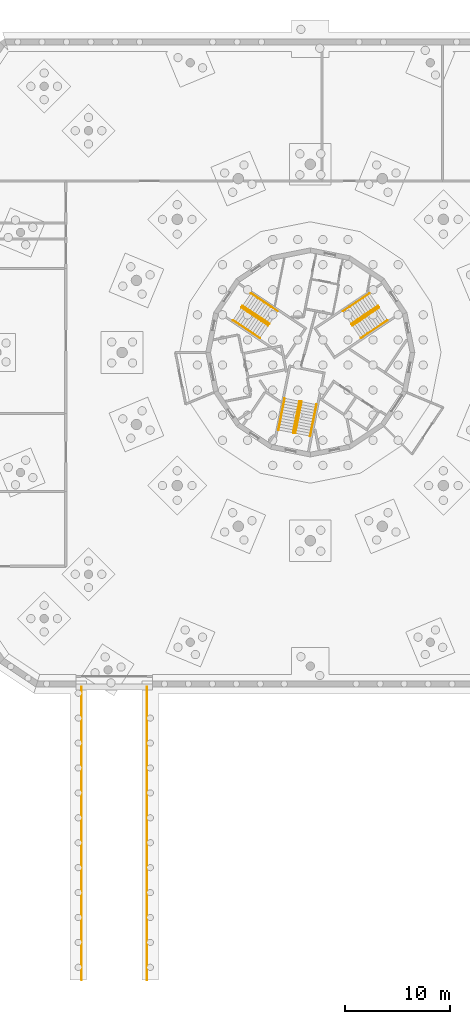
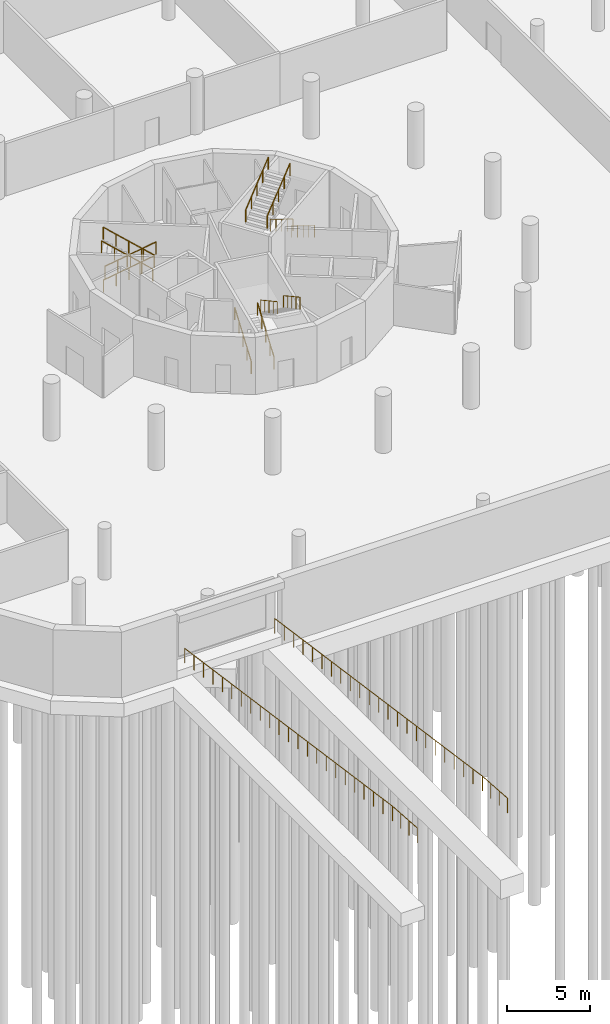
# One storey, part 8 of 8: 14 railings.
"""IFC4 building model written with IfcOpenShell, lengths in metres."""

from ifc_helpers import new_model, si_unit, direction, frame, origin, origin_2d, place, context, subcontext, project, spatial, circle, extrude, material, type_object, element, save


model = new_model("IFC4")

# Units and contexts
model_context = context("Model", 3, precision=1e-05, world=origin(), true_north=direction((0.0, 1.0)))
body_context = subcontext(model_context, "Body", "Model", "MODEL_VIEW")
ifc_project = project(units=[si_unit("LENGTHUNIT", "METRE"), si_unit("AREAUNIT", "SQUARE_METRE"), si_unit("VOLUMEUNIT", "CUBIC_METRE"), si_unit("PLANEANGLEUNIT", "RADIAN"), si_unit("MASSUNIT", "GRAM", prefix="KILO")], contexts=[model_context])

# Site, building, storey
site_placement = place(None, origin())
site = spatial("IfcSite", under=ifc_project, at=site_placement, CompositionType="ELEMENT")
building_placement = place(site_placement, origin())
building = spatial("IfcBuilding", under=site, at=building_placement, Name="Ceibo Conservatory and Research Tower", CompositionType="ELEMENT")
storey_placement = place(building_placement, frame((0.0, 0.0, -4.199951171875)))
storey = spatial("IfcBuildingStorey", under=building, at=storey_placement, Name="B1", CompositionType="ELEMENT", Elevation=-4.199951171875)

# Railings
ifc_material = material(Name="Stainless steel AISI 316", Category="steel")
railing_type_1 = type_object("IfcRailingType", Name="Guard 1100", PredefinedType="GUARDRAIL", material=ifc_material)
railing_1_placement = place(storey_placement, frame((26.1201171875, 60.0, 4.199951171875)))
element("IfcRailing", 1, at=railing_1_placement, inside=storey, type_object=railing_type_1, Name="Ramp guard W", PredefinedType="GUARDRAIL", context=body_context, shape_type="SweptSolid", body=[
    extrude(circle(Radius=0.02392578125, at=origin_2d()), frame((0.0, 0.0, 1.076171875), z_axis=(0.0, 0.997457051376, -0.071270124602), x_axis=(-1.0, 0.0, 0.0)), (0.0, 0.0, 1.0), 3.007568359375),
    extrude(circle(Radius=0.02392578125, at=origin_2d()), frame((0.0, 3.0, 0.86181640625), z_axis=(0.0, 0.989950267045, -0.141415942445), x_axis=(-1.0, 0.0, 0.0)), (0.0, 0.0, 1.0), 25.25390625),
    extrude(circle(Radius=0.02099609375, at=origin_2d()), origin(), (0.0, 0.0, 1.0), 1.052001953125),
    extrude(circle(Radius=0.02099609375, at=origin_2d()), frame((0.0, 1.0, -0.071533203125)), (0.0, 0.0, 1.0), 1.052001953125),
    extrude(circle(Radius=0.02099609375, at=origin_2d()), frame((0.0, 2.0, -0.142822265625)), (0.0, 0.0, 1.0), 1.052001953125),
    extrude(circle(Radius=0.02099609375, at=origin_2d()), frame((0.0, 3.0, -0.21435546875)), (0.0, 0.0, 1.0), 1.052001953125),
    extrude(circle(Radius=0.02099609375, at=origin_2d()), frame((0.0, 4.136474609375, -0.376708984375)), (0.0, 0.0, 1.0), 1.052001953125),
    extrude(circle(Radius=0.02099609375, at=origin_2d()), frame((0.0, 5.272705078125, -0.5390625)), (0.0, 0.0, 1.0), 1.052001953125),
    extrude(circle(Radius=0.02099609375, at=origin_2d()), frame((0.0, 6.4091796875, -0.701416015625)), (0.0, 0.0, 1.0), 1.052001953125),
    extrude(circle(Radius=0.02099609375, at=origin_2d()), frame((0.0, 7.54541015625, -0.86376953125)), (0.0, 0.0, 1.0), 1.052001953125),
    extrude(circle(Radius=0.02099609375, at=origin_2d()), frame((0.0, 8.681884765625, -1.026123046875)), (0.0, 0.0, 1.0), 1.052001953125),
    extrude(circle(Radius=0.02099609375, at=origin_2d()), frame((0.0, 9.818115234375, -1.188232421875)), (0.0, 0.0, 1.0), 1.052001953125),
    extrude(circle(Radius=0.02099609375, at=origin_2d()), frame((0.0, 10.95458984375, -1.3505859375)), (0.0, 0.0, 1.0), 1.052001953125),
    extrude(circle(Radius=0.02099609375, at=origin_2d()), frame((0.0, 12.0908203125, -1.512939453125)), (0.0, 0.0, 1.0), 1.052001953125),
    extrude(circle(Radius=0.02099609375, at=origin_2d()), frame((0.0, 13.227294921875, -1.67529296875)), (0.0, 0.0, 1.0), 1.052001953125),
    extrude(circle(Radius=0.02099609375, at=origin_2d()), frame((0.0, 14.363525390625, -1.837646484375)), (0.0, 0.0, 1.0), 1.052001953125),
    extrude(circle(Radius=0.02099609375, at=origin_2d()), frame((0.0, 15.5, -2.0)), (0.0, 0.0, 1.0), 1.052001953125),
    extrude(circle(Radius=0.02099609375, at=origin_2d()), frame((0.0, 16.636474609375, -2.162353515625)), (0.0, 0.0, 1.0), 1.052001953125),
    extrude(circle(Radius=0.02099609375, at=origin_2d()), frame((0.0, 17.772705078125, -2.32470703125)), (0.0, 0.0, 1.0), 1.052001953125),
    extrude(circle(Radius=0.02099609375, at=origin_2d()), frame((0.0, 18.9091796875, -2.487060546875)), (0.0, 0.0, 1.0), 1.052001953125),
    extrude(circle(Radius=0.02099609375, at=origin_2d()), frame((0.0, 20.04541015625, -2.6494140625)), (0.0, 0.0, 1.0), 1.052001953125),
    extrude(circle(Radius=0.02099609375, at=origin_2d()), frame((0.0, 21.181884765625, -2.811767578125)), (0.0, 0.0, 1.0), 1.052001953125),
    extrude(circle(Radius=0.02099609375, at=origin_2d()), frame((0.0, 22.318115234375, -2.973876953125)), (0.0, 0.0, 1.0), 1.052001953125),
    extrude(circle(Radius=0.02099609375, at=origin_2d()), frame((0.0, 23.45458984375, -3.13623046875)), (0.0, 0.0, 1.0), 1.052001953125),
    extrude(circle(Radius=0.02099609375, at=origin_2d()), frame((0.0, 24.5908203125, -3.298583984375)), (0.0, 0.0, 1.0), 1.052001953125),
    extrude(circle(Radius=0.02099609375, at=origin_2d()), frame((0.0, 25.727294921875, -3.4609375)), (0.0, 0.0, 1.0), 1.052001953125),
    extrude(circle(Radius=0.02099609375, at=origin_2d()), frame((0.0, 26.863525390625, -3.623291015625)), (0.0, 0.0, 1.0), 1.052001953125),
    extrude(circle(Radius=0.02099609375, at=origin_2d()), frame((0.0, 28.0, -3.78564453125)), (0.0, 0.0, 1.0), 1.052001953125),
])
railing_2_placement = place(storey_placement, frame((32.3798828125, 60.0, 4.199951171875)))
element("IfcRailing", 2, at=railing_2_placement, inside=storey, type_object=railing_type_1, Name="Ramp guard E", PredefinedType="GUARDRAIL", context=body_context, shape_type="SweptSolid", body=[
    extrude(circle(Radius=0.02392578125, at=origin_2d()), frame((0.0, 0.0, 1.076171875), z_axis=(0.0, 0.997457051376, -0.071270124602), x_axis=(-1.0, 0.0, 0.0)), (0.0, 0.0, 1.0), 3.007568359375),
    extrude(circle(Radius=0.02392578125, at=origin_2d()), frame((0.0, 3.0, 0.86181640625), z_axis=(0.0, 0.989950267045, -0.141415942445), x_axis=(-1.0, 0.0, 0.0)), (0.0, 0.0, 1.0), 25.25390625),
    extrude(circle(Radius=0.02099609375, at=origin_2d()), origin(), (0.0, 0.0, 1.0), 1.052001953125),
    extrude(circle(Radius=0.02099609375, at=origin_2d()), frame((0.0, 1.0, -0.071533203125)), (0.0, 0.0, 1.0), 1.052001953125),
    extrude(circle(Radius=0.02099609375, at=origin_2d()), frame((0.0, 2.0, -0.142822265625)), (0.0, 0.0, 1.0), 1.052001953125),
    extrude(circle(Radius=0.02099609375, at=origin_2d()), frame((0.0, 3.0, -0.21435546875)), (0.0, 0.0, 1.0), 1.052001953125),
    extrude(circle(Radius=0.02099609375, at=origin_2d()), frame((0.0, 4.136474609375, -0.376708984375)), (0.0, 0.0, 1.0), 1.052001953125),
    extrude(circle(Radius=0.02099609375, at=origin_2d()), frame((0.0, 5.272705078125, -0.5390625)), (0.0, 0.0, 1.0), 1.052001953125),
    extrude(circle(Radius=0.02099609375, at=origin_2d()), frame((0.0, 6.4091796875, -0.701416015625)), (0.0, 0.0, 1.0), 1.052001953125),
    extrude(circle(Radius=0.02099609375, at=origin_2d()), frame((0.0, 7.54541015625, -0.86376953125)), (0.0, 0.0, 1.0), 1.052001953125),
    extrude(circle(Radius=0.02099609375, at=origin_2d()), frame((0.0, 8.681884765625, -1.026123046875)), (0.0, 0.0, 1.0), 1.052001953125),
    extrude(circle(Radius=0.02099609375, at=origin_2d()), frame((0.0, 9.818115234375, -1.188232421875)), (0.0, 0.0, 1.0), 1.052001953125),
    extrude(circle(Radius=0.02099609375, at=origin_2d()), frame((0.0, 10.95458984375, -1.3505859375)), (0.0, 0.0, 1.0), 1.052001953125),
    extrude(circle(Radius=0.02099609375, at=origin_2d()), frame((0.0, 12.0908203125, -1.512939453125)), (0.0, 0.0, 1.0), 1.052001953125),
    extrude(circle(Radius=0.02099609375, at=origin_2d()), frame((0.0, 13.227294921875, -1.67529296875)), (0.0, 0.0, 1.0), 1.052001953125),
    extrude(circle(Radius=0.02099609375, at=origin_2d()), frame((0.0, 14.363525390625, -1.837646484375)), (0.0, 0.0, 1.0), 1.052001953125),
    extrude(circle(Radius=0.02099609375, at=origin_2d()), frame((0.0, 15.5, -2.0)), (0.0, 0.0, 1.0), 1.052001953125),
    extrude(circle(Radius=0.02099609375, at=origin_2d()), frame((0.0, 16.636474609375, -2.162353515625)), (0.0, 0.0, 1.0), 1.052001953125),
    extrude(circle(Radius=0.02099609375, at=origin_2d()), frame((0.0, 17.772705078125, -2.32470703125)), (0.0, 0.0, 1.0), 1.052001953125),
    extrude(circle(Radius=0.02099609375, at=origin_2d()), frame((0.0, 18.9091796875, -2.487060546875)), (0.0, 0.0, 1.0), 1.052001953125),
    extrude(circle(Radius=0.02099609375, at=origin_2d()), frame((0.0, 20.04541015625, -2.6494140625)), (0.0, 0.0, 1.0), 1.052001953125),
    extrude(circle(Radius=0.02099609375, at=origin_2d()), frame((0.0, 21.181884765625, -2.811767578125)), (0.0, 0.0, 1.0), 1.052001953125),
    extrude(circle(Radius=0.02099609375, at=origin_2d()), frame((0.0, 22.318115234375, -2.973876953125)), (0.0, 0.0, 1.0), 1.052001953125),
    extrude(circle(Radius=0.02099609375, at=origin_2d()), frame((0.0, 23.45458984375, -3.13623046875)), (0.0, 0.0, 1.0), 1.052001953125),
    extrude(circle(Radius=0.02099609375, at=origin_2d()), frame((0.0, 24.5908203125, -3.298583984375)), (0.0, 0.0, 1.0), 1.052001953125),
    extrude(circle(Radius=0.02099609375, at=origin_2d()), frame((0.0, 25.727294921875, -3.4609375)), (0.0, 0.0, 1.0), 1.052001953125),
    extrude(circle(Radius=0.02099609375, at=origin_2d()), frame((0.0, 26.863525390625, -3.623291015625)), (0.0, 0.0, 1.0), 1.052001953125),
    extrude(circle(Radius=0.02099609375, at=origin_2d()), frame((0.0, 28.0, -3.78564453125)), (0.0, 0.0, 1.0), 1.052001953125),
])
railing_type_2 = type_object("IfcRailingType", Name="Stair handrail 900", PredefinedType="HANDRAIL", material=ifc_material)
railing_3_placement = place(storey_placement, frame((55.394287109375, 123.07763671875, 0.175048828125)))
element("IfcRailing", 3, at=railing_3_placement, inside=storey, type_object=railing_type_2, Name="Handrail ST1 B1 1a", PredefinedType="HANDRAIL", context=body_context, shape_type="SweptSolid", body=[
    extrude(circle(Radius=0.02392578125, at=origin_2d()), frame((0.0, 0.0, 0.8759765625), z_axis=(-0.705092537315, -0.471114737277, 0.529995677476), x_axis=(0.555559606932, -0.831476712329, 0.0)), (0.0, 0.0, 1.0), 3.632080078125),
    extrude(circle(Radius=0.02099609375, at=origin_2d()), origin(), (0.0, 0.0, 1.0), 0.851806640625),
    extrude(circle(Radius=0.02099609375, at=origin_2d()), frame((-0.64013671875, -0.427734375, 0.481201171875)), (0.0, 0.0, 1.0), 0.851806640625),
    extrude(circle(Radius=0.02099609375, at=origin_2d()), frame((-1.280517578125, -0.85546875, 0.96240234375)), (0.0, 0.0, 1.0), 0.851806640625),
    extrude(circle(Radius=0.02099609375, at=origin_2d()), frame((-1.9208984375, -1.283447265625, 1.44384765625)), (0.0, 0.0, 1.0), 0.851806640625),
    extrude(circle(Radius=0.02099609375, at=origin_2d()), frame((-2.56103515625, -1.711181640625, 1.925048828125)), (0.0, 0.0, 1.0), 0.851806640625),
])
railing_4_placement = place(storey_placement, frame((54.589599609375, 124.28173828125, 0.175048828125)))
element("IfcRailing", 4, at=railing_4_placement, inside=storey, type_object=railing_type_2, Name="Handrail ST1 B1 1b", PredefinedType="HANDRAIL", context=body_context, shape_type="SweptSolid", body=[
    extrude(circle(Radius=0.02392578125, at=origin_2d()), frame((0.0, 0.0, 0.8759765625), z_axis=(-0.705058735873, -0.471137065472, 0.530020796297), x_axis=(0.555596223496, -0.831452245434, 0.0)), (0.0, 0.0, 1.0), 3.632080078125),
    extrude(circle(Radius=0.02099609375, at=origin_2d()), origin(), (0.0, 0.0, 1.0), 0.851806640625),
    extrude(circle(Radius=0.02099609375, at=origin_2d()), frame((-0.64013671875, -0.427734375, 0.481201171875)), (0.0, 0.0, 1.0), 0.851806640625),
    extrude(circle(Radius=0.02099609375, at=origin_2d()), frame((-1.2802734375, -0.85546875, 0.96240234375)), (0.0, 0.0, 1.0), 0.851806640625),
    extrude(circle(Radius=0.02099609375, at=origin_2d()), frame((-1.920654296875, -1.283447265625, 1.44384765625)), (0.0, 0.0, 1.0), 0.851806640625),
    extrude(circle(Radius=0.02099609375, at=origin_2d()), frame((-2.560791015625, -1.711181640625, 1.925048828125)), (0.0, 0.0, 1.0), 0.851806640625),
])
railing_5_placement = place(storey_placement, frame((51.112060546875, 123.9423828125, 2.27490234375)))
element("IfcRailing", 5, at=railing_5_placement, inside=storey, type_object=railing_type_2, Name="Handrail ST1 B1 2a", PredefinedType="HANDRAIL", context=body_context, shape_type="SweptSolid", body=[
    extrude(circle(Radius=0.02392578125, at=origin_2d()), frame((0.0, 0.0, 0.8759765625), z_axis=(0.705092537315, 0.471114737277, 0.529995677476), x_axis=(-0.555559606932, 0.831476712329, 0.0)), (0.0, 0.0, 1.0), 3.632080078125),
    extrude(circle(Radius=0.02099609375, at=origin_2d()), origin(), (0.0, 0.0, 1.0), 0.851806640625),
    extrude(circle(Radius=0.02099609375, at=origin_2d()), frame((0.64013671875, 0.427734375, 0.481201171875)), (0.0, 0.0, 1.0), 0.851806640625),
    extrude(circle(Radius=0.02099609375, at=origin_2d()), frame((1.280517578125, 0.85546875, 0.96240234375)), (0.0, 0.0, 1.0), 0.851806640625),
    extrude(circle(Radius=0.02099609375, at=origin_2d()), frame((1.9208984375, 1.283447265625, 1.44384765625)), (0.0, 0.0, 1.0), 0.851806640625),
    extrude(circle(Radius=0.02099609375, at=origin_2d()), frame((2.56103515625, 1.711181640625, 1.925048828125)), (0.0, 0.0, 1.0), 0.851806640625),
])
railing_6_placement = place(storey_placement, frame((51.916748046875, 122.73828125, 2.27490234375)))
element("IfcRailing", 6, at=railing_6_placement, inside=storey, type_object=railing_type_2, Name="Handrail ST1 B1 2b", PredefinedType="HANDRAIL", context=body_context, shape_type="SweptSolid", body=[
    extrude(circle(Radius=0.02392578125, at=origin_2d()), frame((0.0, 0.0, 0.8759765625), z_axis=(0.705058735873, 0.471137065472, 0.530020796297), x_axis=(-0.555596223496, 0.831452245434, 0.0)), (0.0, 0.0, 1.0), 3.632080078125),
    extrude(circle(Radius=0.02099609375, at=origin_2d()), origin(), (0.0, 0.0, 1.0), 0.851806640625),
    extrude(circle(Radius=0.02099609375, at=origin_2d()), frame((0.64013671875, 0.427734375, 0.481201171875)), (0.0, 0.0, 1.0), 0.851806640625),
    extrude(circle(Radius=0.02099609375, at=origin_2d()), frame((1.2802734375, 0.85546875, 0.96240234375)), (0.0, 0.0, 1.0), 0.851806640625),
    extrude(circle(Radius=0.02099609375, at=origin_2d()), frame((1.920654296875, 1.283447265625, 1.44384765625)), (0.0, 0.0, 1.0), 0.851806640625),
    extrude(circle(Radius=0.02099609375, at=origin_2d()), frame((2.560791015625, 1.711181640625, 1.925048828125)), (0.0, 0.0, 1.0), 0.851806640625),
])
railing_7_placement = place(storey_placement, frame((42.3271484375, 125.653564453125, 0.175048828125)))
element("IfcRailing", 7, at=railing_7_placement, inside=storey, type_object=railing_type_2, Name="Handrail ST2 B1 1a", PredefinedType="HANDRAIL", context=body_context, shape_type="SweptSolid", body=[
    extrude(circle(Radius=0.02392578125, at=origin_2d()), frame((0.0, 0.0, 0.8759765625), z_axis=(0.705058735873, -0.471137065472, 0.530020796297), x_axis=(0.555596223496, 0.831452245434, 0.0)), (0.0, 0.0, 1.0), 3.632080078125),
    extrude(circle(Radius=0.02099609375, at=origin_2d()), origin(), (0.0, 0.0, 1.0), 0.851806640625),
    extrude(circle(Radius=0.02099609375, at=origin_2d()), frame((0.64013671875, -0.427734375, 0.481201171875)), (0.0, 0.0, 1.0), 0.851806640625),
    extrude(circle(Radius=0.02099609375, at=origin_2d()), frame((1.2802734375, -0.85546875, 0.96240234375)), (0.0, 0.0, 1.0), 0.851806640625),
    extrude(circle(Radius=0.02099609375, at=origin_2d()), frame((1.920654296875, -1.283447265625, 1.44384765625)), (0.0, 0.0, 1.0), 0.851806640625),
    extrude(circle(Radius=0.02099609375, at=origin_2d()), frame((2.560791015625, -1.711181640625, 1.925048828125)), (0.0, 0.0, 1.0), 0.851806640625),
])
railing_8_placement = place(storey_placement, frame((41.5224609375, 124.449462890625, 0.175048828125)))
element("IfcRailing", 8, at=railing_8_placement, inside=storey, type_object=railing_type_2, Name="Handrail ST2 B1 1b", PredefinedType="HANDRAIL", context=body_context, shape_type="SweptSolid", body=[
    extrude(circle(Radius=0.02392578125, at=origin_2d()), frame((0.0, 0.0, 0.8759765625), z_axis=(0.705092537315, -0.471114737277, 0.529995677476), x_axis=(0.555559606932, 0.831476712329, 0.0)), (0.0, 0.0, 1.0), 3.632080078125),
    extrude(circle(Radius=0.02099609375, at=origin_2d()), origin(), (0.0, 0.0, 1.0), 0.851806640625),
    extrude(circle(Radius=0.02099609375, at=origin_2d()), frame((0.64013671875, -0.427734375, 0.481201171875)), (0.0, 0.0, 1.0), 0.851806640625),
    extrude(circle(Radius=0.02099609375, at=origin_2d()), frame((1.280517578125, -0.85546875, 0.96240234375)), (0.0, 0.0, 1.0), 0.851806640625),
    extrude(circle(Radius=0.02099609375, at=origin_2d()), frame((1.9208984375, -1.283447265625, 1.44384765625)), (0.0, 0.0, 1.0), 0.851806640625),
    extrude(circle(Radius=0.02099609375, at=origin_2d()), frame((2.56103515625, -1.711181640625, 1.925048828125)), (0.0, 0.0, 1.0), 0.851806640625),
])
railing_9_placement = place(storey_placement, frame((43.166748046875, 121.366455078125, 2.27490234375)))
element("IfcRailing", 9, at=railing_9_placement, inside=storey, type_object=railing_type_2, Name="Handrail ST2 B1 2a", PredefinedType="HANDRAIL", context=body_context, shape_type="SweptSolid", body=[
    extrude(circle(Radius=0.02392578125, at=origin_2d()), frame((0.0, 0.0, 0.8759765625), z_axis=(-0.705058735873, 0.471137065472, 0.530020796297), x_axis=(-0.555596223496, -0.831452245434, 0.0)), (0.0, 0.0, 1.0), 3.632080078125),
    extrude(circle(Radius=0.02099609375, at=origin_2d()), origin(), (0.0, 0.0, 1.0), 0.851806640625),
    extrude(circle(Radius=0.02099609375, at=origin_2d()), frame((-0.64013671875, 0.427734375, 0.481201171875)), (0.0, 0.0, 1.0), 0.851806640625),
    extrude(circle(Radius=0.02099609375, at=origin_2d()), frame((-1.2802734375, 0.85546875, 0.96240234375)), (0.0, 0.0, 1.0), 0.851806640625),
    extrude(circle(Radius=0.02099609375, at=origin_2d()), frame((-1.920654296875, 1.283447265625, 1.44384765625)), (0.0, 0.0, 1.0), 0.851806640625),
    extrude(circle(Radius=0.02099609375, at=origin_2d()), frame((-2.560791015625, 1.711181640625, 1.925048828125)), (0.0, 0.0, 1.0), 0.851806640625),
])
railing_10_placement = place(storey_placement, frame((43.971435546875, 122.570556640625, 2.27490234375)))
element("IfcRailing", 10, at=railing_10_placement, inside=storey, type_object=railing_type_2, Name="Handrail ST2 B1 2b", PredefinedType="HANDRAIL", context=body_context, shape_type="SweptSolid", body=[
    extrude(circle(Radius=0.02392578125, at=origin_2d()), frame((0.0, 0.0, 0.8759765625), z_axis=(-0.705092537315, 0.471114737277, 0.529995677476), x_axis=(-0.555559606932, -0.831476712329, 0.0)), (0.0, 0.0, 1.0), 3.632080078125),
    extrude(circle(Radius=0.02099609375, at=origin_2d()), origin(), (0.0, 0.0, 1.0), 0.851806640625),
    extrude(circle(Radius=0.02099609375, at=origin_2d()), frame((-0.64013671875, 0.427734375, 0.481201171875)), (0.0, 0.0, 1.0), 0.851806640625),
    extrude(circle(Radius=0.02099609375, at=origin_2d()), frame((-1.280517578125, 0.85546875, 0.96240234375)), (0.0, 0.0, 1.0), 0.851806640625),
    extrude(circle(Radius=0.02099609375, at=origin_2d()), frame((-1.9208984375, 1.283447265625, 1.44384765625)), (0.0, 0.0, 1.0), 0.851806640625),
    extrude(circle(Radius=0.02099609375, at=origin_2d()), frame((-2.56103515625, 1.711181640625, 1.925048828125)), (0.0, 0.0, 1.0), 0.851806640625),
])
railing_11_placement = place(storey_placement, frame((44.94775390625, 112.595458984375, 0.175048828125)))
element("IfcRailing", 11, at=railing_11_placement, inside=storey, type_object=railing_type_2, Name="Handrail ST3 B1 1a", PredefinedType="HANDRAIL", context=body_context, shape_type="SweptSolid", body=[
    extrude(circle(Radius=0.02392578125, at=origin_2d()), frame((0.0, 0.0, 0.8759765625), z_axis=(0.165490104125, 0.831685238966, 0.530011970358), x_axis=(-0.980772275789, 0.195155689242, 0.0)), (0.0, 0.0, 1.0), 3.632080078125),
    extrude(circle(Radius=0.02099609375, at=origin_2d()), origin(), (0.0, 0.0, 1.0), 0.851806640625),
    extrude(circle(Radius=0.02099609375, at=origin_2d()), frame((0.150390625, 0.755126953125, 0.481201171875)), (0.0, 0.0, 1.0), 0.851806640625),
    extrude(circle(Radius=0.02099609375, at=origin_2d()), frame((0.300537109375, 1.51025390625, 0.96240234375)), (0.0, 0.0, 1.0), 0.851806640625),
    extrude(circle(Radius=0.02099609375, at=origin_2d()), frame((0.45068359375, 2.265625, 1.44384765625)), (0.0, 0.0, 1.0), 0.851806640625),
    extrude(circle(Radius=0.02099609375, at=origin_2d()), frame((0.60107421875, 3.020751953125, 1.925048828125)), (0.0, 0.0, 1.0), 0.851806640625),
])
railing_12_placement = place(storey_placement, frame((46.3681640625, 112.312744140625, 0.175048828125)))
element("IfcRailing", 12, at=railing_12_placement, inside=storey, type_object=railing_type_2, Name="Handrail ST3 B1 1b", PredefinedType="HANDRAIL", context=body_context, shape_type="SweptSolid", body=[
    extrude(circle(Radius=0.02392578125, at=origin_2d()), frame((0.0, 0.0, 0.8759765625), z_axis=(0.165415478464, 0.831715209471, 0.529988235548), x_axis=(-0.980790461334, 0.195064273909, 0.0)), (0.0, 0.0, 1.0), 3.63232421875),
    extrude(circle(Radius=0.02099609375, at=origin_2d()), origin(), (0.0, 0.0, 1.0), 0.851806640625),
    extrude(circle(Radius=0.02099609375, at=origin_2d()), frame((0.150146484375, 0.75537109375, 0.481201171875)), (0.0, 0.0, 1.0), 0.851806640625),
    extrude(circle(Radius=0.02099609375, at=origin_2d()), frame((0.30029296875, 1.510498046875, 0.96240234375)), (0.0, 0.0, 1.0), 0.851806640625),
    extrude(circle(Radius=0.02099609375, at=origin_2d()), frame((0.45068359375, 2.265625, 1.44384765625)), (0.0, 0.0, 1.0), 0.851806640625),
    extrude(circle(Radius=0.02099609375, at=origin_2d()), frame((0.600830078125, 3.02099609375, 1.925048828125)), (0.0, 0.0, 1.0), 0.851806640625),
])
railing_13_placement = place(storey_placement, frame((48.587158203125, 115.01171875, 2.27490234375)))
element("IfcRailing", 13, at=railing_13_placement, inside=storey, type_object=railing_type_2, Name="Handrail ST3 B1 2a", PredefinedType="HANDRAIL", context=body_context, shape_type="SweptSolid", body=[
    extrude(circle(Radius=0.02392578125, at=origin_2d()), frame((0.0, 0.0, 0.8759765625), z_axis=(-0.165490104125, -0.831685238966, 0.530011970358), x_axis=(0.980772275789, -0.195155689242, 0.0)), (0.0, 0.0, 1.0), 3.632080078125),
    extrude(circle(Radius=0.02099609375, at=origin_2d()), origin(), (0.0, 0.0, 1.0), 0.851806640625),
    extrude(circle(Radius=0.02099609375, at=origin_2d()), frame((-0.150390625, -0.755126953125, 0.481201171875)), (0.0, 0.0, 1.0), 0.851806640625),
    extrude(circle(Radius=0.02099609375, at=origin_2d()), frame((-0.300537109375, -1.51025390625, 0.96240234375)), (0.0, 0.0, 1.0), 0.851806640625),
    extrude(circle(Radius=0.02099609375, at=origin_2d()), frame((-0.45068359375, -2.265625, 1.44384765625)), (0.0, 0.0, 1.0), 0.851806640625),
    extrude(circle(Radius=0.02099609375, at=origin_2d()), frame((-0.60107421875, -3.020751953125, 1.925048828125)), (0.0, 0.0, 1.0), 0.851806640625),
])
railing_14_placement = place(storey_placement, frame((47.166748046875, 115.29443359375, 2.27490234375)))
element("IfcRailing", 14, at=railing_14_placement, inside=storey, type_object=railing_type_2, Name="Handrail ST3 B1 2b", PredefinedType="HANDRAIL", context=body_context, shape_type="SweptSolid", body=[
    extrude(circle(Radius=0.02392578125, at=origin_2d()), frame((0.0, 0.0, 0.8759765625), z_axis=(-0.165415478464, -0.831715209471, 0.529988235548), x_axis=(0.980790461334, -0.195064273909, 0.0)), (0.0, 0.0, 1.0), 3.63232421875),
    extrude(circle(Radius=0.02099609375, at=origin_2d()), origin(), (0.0, 0.0, 1.0), 0.851806640625),
    extrude(circle(Radius=0.02099609375, at=origin_2d()), frame((-0.150146484375, -0.75537109375, 0.481201171875)), (0.0, 0.0, 1.0), 0.851806640625),
    extrude(circle(Radius=0.02099609375, at=origin_2d()), frame((-0.30029296875, -1.510498046875, 0.96240234375)), (0.0, 0.0, 1.0), 0.851806640625),
    extrude(circle(Radius=0.02099609375, at=origin_2d()), frame((-0.45068359375, -2.265625, 1.44384765625)), (0.0, 0.0, 1.0), 0.851806640625),
    extrude(circle(Radius=0.02099609375, at=origin_2d()), frame((-0.600830078125, -3.02099609375, 1.925048828125)), (0.0, 0.0, 1.0), 0.851806640625),
])

save(model, "model.ifc")
